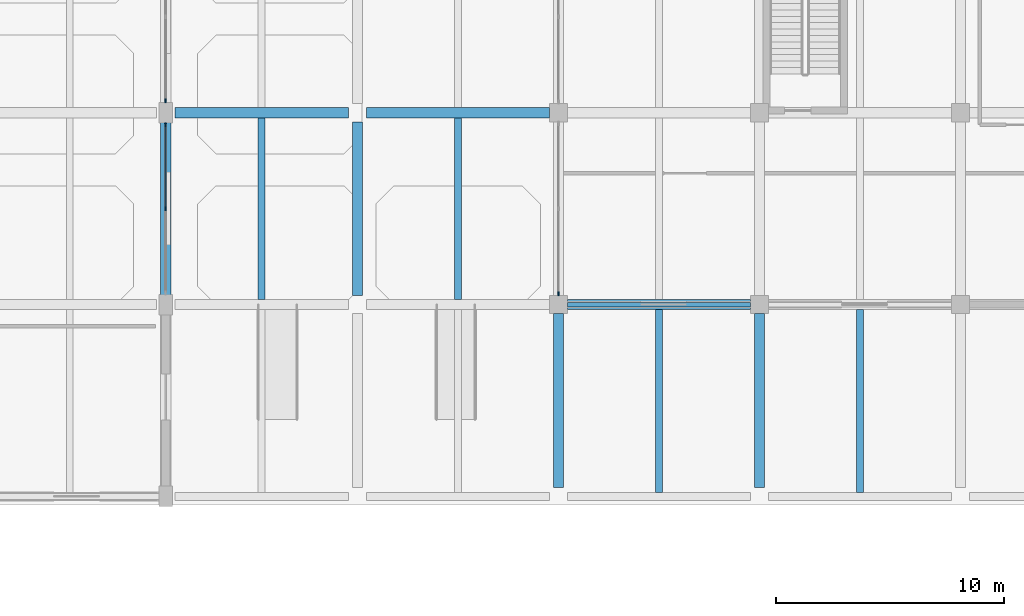
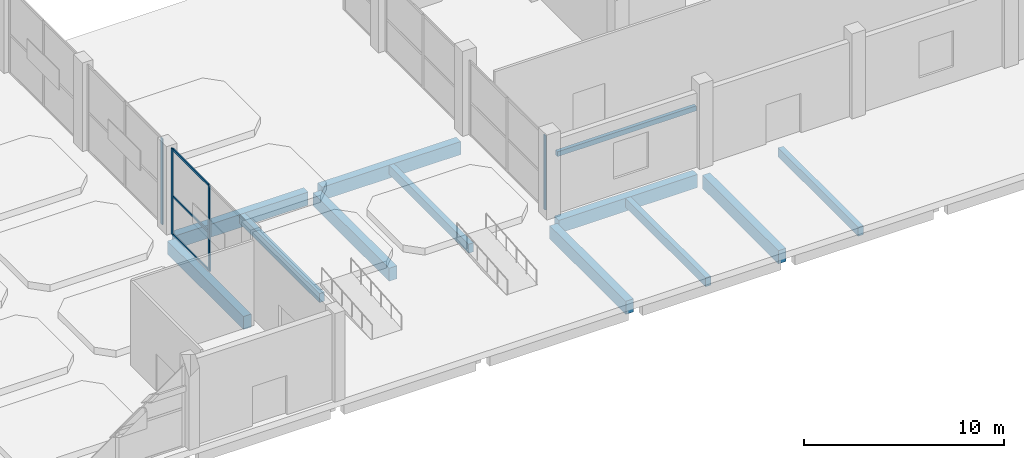
# One storey, part 7 of 34: 12 beams, 7 members, 3 elements without a shape of their own.
"""IFC4 building model written with IfcOpenShell, lengths in metres."""

from ifc_helpers import new_model, si_unit, direction, frame, origin, origin_2d, place, context, subcontext, project, spatial, rectangle, extrude, material, material_profile, profile_set, type_object, element, aggregate, save


model = new_model("IFC4")

# Units and contexts
model_context = context("Model", 3, precision=1e-05, world=origin(), true_north=direction((0.0, 1.0)))
body_context = subcontext(model_context, "Body", "Model", "MODEL_VIEW")
ifc_project = project(units=[si_unit("LENGTHUNIT", "METRE"), si_unit("AREAUNIT", "SQUARE_METRE"), si_unit("VOLUMEUNIT", "CUBIC_METRE"), si_unit("PLANEANGLEUNIT", "RADIAN"), si_unit("MASSUNIT", "GRAM", prefix="KILO")], contexts=[model_context])

# Site, building, storey
site_placement = place(None, origin())
site = spatial("IfcSite", under=ifc_project, at=site_placement, CompositionType="ELEMENT")
building_placement = place(site_placement, origin())
building = spatial("IfcBuilding", under=site, at=building_placement, Name="Brinegate Botanical Conservatory", CompositionType="ELEMENT")
storey_placement = place(building_placement, origin())
storey = spatial("IfcBuildingStorey", under=building, at=storey_placement, Name="L01", CompositionType="ELEMENT", Elevation=0.0)

# Beams
ifc_material_1 = material(Name="Concrete C40/50", Category="concrete")
ifc_material_profile_1 = material_profile(ifc_material_1, rectangle(XDim=0.449951171875, YDim=0.800048828125, at=origin_2d()), Name="RC BM 450x800")
ifc_profile_set_1 = profile_set([ifc_material_profile_1], Name="Concrete C40/50")
beam_type_1 = type_object("IfcBeamType", Name="Beam_BM-G1", PredefinedType="BEAM", material=ifc_profile_set_1)
beam_1_placement = place(storey_placement, frame((51.199951171875, 86.800048828125, -0.804931640625), z_axis=(1.0, 0.0, 0.0), x_axis=(0.0, 1.0, 0.0)))
element("IfcBeam", 1, at=beam_1_placement, inside=storey, type_object=beam_type_1, Name="Beam BM-G1 L01 L:7-8", PredefinedType="BEAM", context=body_context, shape_type="SweptSolid", body=[
    extrude(rectangle(XDim=0.449951171875, YDim=0.800048828125, at=origin_2d()), origin(), (0.0, 0.0, 1.0), 8.0),
])
beam_2_placement = place(storey_placement, frame((34.0, 95.199951171875, -0.804931640625), z_axis=(1.0, 0.0, 0.0), x_axis=(0.0, 1.0, 0.0)))
element("IfcBeam", 2, at=beam_2_placement, inside=storey, type_object=beam_type_1, Name="Beam BM-G1 L01 M:5-6", PredefinedType="BEAM", context=body_context, shape_type="SweptSolid", body=[
    extrude(rectangle(XDim=0.449951171875, YDim=0.800048828125, at=origin_2d()), origin(), (0.0, 0.0, 1.0), 7.60009765625),
])
beam_3_placement = place(storey_placement, frame((42.39990234375, 95.199951171875, -0.804931640625), z_axis=(1.0, 0.0, 0.0), x_axis=(0.0, 1.0, 0.0)))
element("IfcBeam", 3, at=beam_3_placement, inside=storey, type_object=beam_type_1, Name="Beam BM-G1 L01 M:6-7", PredefinedType="BEAM", context=body_context, shape_type="SweptSolid", body=[
    extrude(rectangle(XDim=0.449951171875, YDim=0.800048828125, at=origin_2d()), origin(), (0.0, 0.0, 1.0), 8.0),
])
for number, where, z_axis, x_axis, name in (
    (4, (33.60009765625, 87.199951171875, -0.804931640625), (0.0, 1.0, 0.0), (-1.0, 0.0, 0.0), "Beam BM-G1 L01 5:L-M"),
    (5, (42.0, 87.199951171875, -0.804931640625), (0.0, 1.0, 0.0), (-1.0, 0.0, 0.0), "Beam BM-G1 L01 6:L-M"),
):
    element("IfcBeam", number, at=place(storey_placement, frame(where, z_axis=z_axis, x_axis=x_axis)), inside=storey, type_object=beam_type_1, Name=name, PredefinedType="BEAM", context=body_context, shape_type="SweptSolid", body=[
        extrude(rectangle(XDim=0.449951171875, YDim=0.800048828125, at=origin_2d()), origin(), (0.0, 0.0, 1.0), 7.60009765625),
    ])
for number, where, z_axis, x_axis, name in (
    (6, (50.800048828125, 78.800048828125, -0.804931640625), (0.0, 1.0, 0.0), (-1.0, 0.0, 0.0), "Beam BM-G1 L01 7:K-L"),
    (7, (59.60009765625, 78.800048828125, -0.804931640625), (0.0, 1.0, 0.0), (-1.0, 0.0, 0.0), "Beam BM-G1 L01 8:K-L"),
):
    element("IfcBeam", number, at=place(storey_placement, frame(where, z_axis=z_axis, x_axis=x_axis)), inside=storey, type_object=beam_type_1, Name=name, PredefinedType="BEAM", context=body_context, shape_type="SweptSolid", body=[
        extrude(rectangle(XDim=0.449951171875, YDim=0.800048828125, at=origin_2d()), origin(), (0.0, 0.0, 1.0), 7.599853515625),
    ])
ifc_material_profile_2 = material_profile(ifc_material_1, rectangle(XDim=0.300048828125, YDim=0.550048828125, at=origin_2d()), Name="RC JST 300x550")
ifc_profile_set_2 = profile_set([ifc_material_profile_2], Name="Concrete C40/50")
beam_type_2 = type_object("IfcBeamType", Name="Beam_JS-C1", PredefinedType="JOIST", material=ifc_profile_set_2)
for number, where, z_axis, x_axis, name in (
    (8, (37.800048828125, 87.02490234375, -0.679931640625), (0.0, 1.0, 0.0), (-1.0, 0.0, 0.0), "Floor joist JS-C1 L01 bay 5.11"),
    (9, (46.39990234375, 87.02490234375, -0.679931640625), (0.0, 1.0, 0.0), (-1.0, 0.0, 0.0), "Floor joist JS-C1 L01 bay 6.11"),
):
    element("IfcBeam", number, at=place(storey_placement, frame(where, z_axis=z_axis, x_axis=x_axis)), inside=storey, type_object=beam_type_2, Name=name, PredefinedType="JOIST", context=body_context, shape_type="SweptSolid", body=[
        extrude(rectangle(XDim=0.300048828125, YDim=0.550048828125, at=origin_2d()), origin(), (0.0, 0.0, 1.0), 7.9501953125),
    ])
for number, where, z_axis, x_axis, name in (
    (10, (55.199951171875, 78.574951171875, -0.679931640625), (0.0, 1.0, 0.0), (-1.0, 0.0, 0.0), "Floor joist JS-C1 L01 bay 7.10"),
    (11, (64.0, 78.574951171875, -0.679931640625), (0.0, 1.0, 0.0), (-1.0, 0.0, 0.0), "Floor joist JS-C1 L01 bay 8.10"),
):
    element("IfcBeam", number, at=place(storey_placement, frame(where, z_axis=z_axis, x_axis=x_axis)), inside=storey, type_object=beam_type_2, Name=name, PredefinedType="JOIST", context=body_context, shape_type="SweptSolid", body=[
        extrude(rectangle(XDim=0.300048828125, YDim=0.550048828125, at=origin_2d()), origin(), (0.0, 0.0, 1.0), 8.0),
    ])
ifc_material_2 = material(Name="Precast concrete C40/50", Category="concrete")
ifc_material_profile_3 = material_profile(ifc_material_2, rectangle(XDim=0.199951171875, YDim=0.300048828125, at=origin_2d()), Name="RC LNT 200x300")
ifc_profile_set_3 = profile_set([ifc_material_profile_3], Name="Precast concrete C40/50")
beam_type_3 = type_object("IfcBeamType", Name="Beam_LN-02", PredefinedType="LINTEL", material=ifc_profile_set_3)
beam_4_placement = place(storey_placement, frame((51.199951171875, 86.800048828125, 3.550048828125), z_axis=(1.0, 0.0, 0.0), x_axis=(0.0, 1.0, 0.0)))
element("IfcBeam", 12, at=beam_4_placement, inside=storey, type_object=beam_type_3, Name="Warehouse opening lintel LN-02 9", PredefinedType="LINTEL", context=body_context, shape_type="SweptSolid", body=[
    extrude(rectangle(XDim=0.199951171875, YDim=0.300048828125, at=origin_2d()), origin(), (0.0, 0.0, 1.0), 8.0),
])

# Curtain wall, members
ifc_material_3 = material(Name="Thermally broken anodised aluminium AW-6063-T6", Category="aluminium")
curtain_wall_type_1 = type_object("IfcCurtainWallType", Name="CW_CW-V1", PredefinedType="USERDEFINED", material=ifc_material_3)
curtain_wall_1_placement = place(storey_placement, origin())
curtain_wall_1 = element("IfcCurtainWall", 13, at=curtain_wall_1_placement, inside=storey, type_object=curtain_wall_type_1, Name="Conservatory east curtain wall L01.2", ObjectType="FACTORY CURTAIN WALL", PredefinedType="USERDEFINED")
ifc_material_profile_4 = material_profile(ifc_material_3, rectangle(XDim=0.06494140625, YDim=0.179931640625, at=origin_2d()), Name="ALUM MULLION 65x180")
ifc_profile_set_4 = profile_set([ifc_material_profile_4], Name="Thermally broken anodised aluminium AW-6063-T6")
member_type_1 = type_object("IfcMemberType", Name="Member_ML-02", PredefinedType="MULLION", material=ifc_profile_set_4)
member_1_placement = place(storey_placement, frame((33.60009765625, 94.677490234375, 0.0), z_axis=(0.0, 0.0, 1.0), x_axis=(1.0, 0.0, 0.0)))
member_1 = element("IfcMember", 14, at=member_1_placement, type_object=member_type_1, Name="CW-V1 mullion 1", PredefinedType="MULLION", context=body_context, shape_type="SweptSolid", body=[
    extrude(rectangle(XDim=0.06494140625, YDim=0.179931640625, at=origin_2d()), origin(), (0.0, 0.0, 1.0), 5.239990234375),
])
member_2_placement = place(storey_placement, frame((33.60009765625, 91.0, 0.0), z_axis=(0.0, 0.0, 1.0), x_axis=(1.0, 0.0, 0.0)))
member_2 = element("IfcMember", 15, at=member_2_placement, type_object=member_type_1, Name="CW-V1 mullion 2", PredefinedType="MULLION", context=body_context, shape_type="SweptSolid", body=[
    extrude(rectangle(XDim=0.06494140625, YDim=0.179931640625, at=origin_2d()), origin(), (0.0, 0.0, 1.0), 5.239990234375),
])

# Curtain wall, member
curtain_wall_2_placement = place(storey_placement, origin())
curtain_wall_2 = element("IfcCurtainWall", 16, at=curtain_wall_2_placement, inside=storey, type_object=curtain_wall_type_1, Name="Conservatory east curtain wall L01.3", ObjectType="FACTORY CURTAIN WALL", PredefinedType="USERDEFINED")
member_3_placement = place(storey_placement, frame((33.60009765625, 95.722412109375, 0.0), z_axis=(0.0, 0.0, 1.0), x_axis=(1.0, 0.0, 0.0)))
member_3 = element("IfcMember", 17, at=member_3_placement, type_object=member_type_1, Name="CW-V1 mullion 3", PredefinedType="MULLION", context=body_context, shape_type="SweptSolid", body=[
    extrude(rectangle(XDim=0.06494140625, YDim=0.179931640625, at=origin_2d()), origin(), (0.0, 0.0, 1.0), 5.239990234375),
])
aggregate(curtain_wall_2, [member_3])

curtain_wall_type_2 = type_object("IfcCurtainWallType", Name="CW_CW-V3", PredefinedType="USERDEFINED", material=ifc_material_3)
curtain_wall_3_placement = place(storey_placement, origin())
curtain_wall_3 = element("IfcCurtainWall", 18, at=curtain_wall_3_placement, inside=storey, type_object=curtain_wall_type_2, Name="Visitor west forecourt curtain wall L01.1", ObjectType="FACTORY CURTAIN WALL", PredefinedType="USERDEFINED")
member_4_placement = place(storey_placement, frame((50.800048828125, 87.2724609375, 0.0), z_axis=(0.0, 0.0, 1.0), x_axis=(-1.0, 0.0, 0.0)))
member_4 = element("IfcMember", 19, at=member_4_placement, type_object=member_type_1, Name="CW-V3 mullion 1", PredefinedType="MULLION", context=body_context, shape_type="SweptSolid", body=[
    extrude(rectangle(XDim=0.06494140625, YDim=0.179931640625, at=origin_2d()), origin(), (0.0, 0.0, 1.0), 4.530029296875),
])
aggregate(curtain_wall_3, [member_4])

# Member
ifc_material_profile_5 = material_profile(ifc_material_3, rectangle(XDim=0.06494140625, YDim=0.135009765625, at=origin_2d()), Name="ALUM TRANSOM 65x135")
ifc_profile_set_5 = profile_set([ifc_material_profile_5], Name="Thermally broken anodised aluminium AW-6063-T6")
member_type_2 = type_object("IfcMemberType", Name="Member_TR-02", PredefinedType="USERDEFINED", material=ifc_profile_set_5)
member_5_placement = place(storey_placement, frame((33.60009765625, 94.64501953125, 0.032470703125), z_axis=(0.0, -1.0, 0.0), x_axis=(1.0, 0.0, 0.0)))
member_5 = element("IfcMember", 20, at=member_5_placement, type_object=member_type_2, Name="CW-V1 transom 1.1", ObjectType="TRANSOM", PredefinedType="USERDEFINED", context=body_context, shape_type="SweptSolid", body=[
    extrude(rectangle(XDim=0.06494140625, YDim=0.135009765625, at=origin_2d()), origin(), (0.0, 0.0, 1.0), 3.612548828125),
])

member_6_placement = place(storey_placement, frame((33.60009765625, 94.64501953125, 2.35791015625), z_axis=(0.0, -1.0, 0.0), x_axis=(1.0, 0.0, 0.0)))
member_6 = element("IfcMember", 21, at=member_6_placement, type_object=member_type_2, Name="CW-V1 transom 1.2", ObjectType="TRANSOM", PredefinedType="USERDEFINED", context=body_context, shape_type="SweptSolid", body=[
    extrude(rectangle(XDim=0.06494140625, YDim=0.135009765625, at=origin_2d()), origin(), (0.0, 0.0, 1.0), 3.612548828125),
])

member_7_placement = place(storey_placement, frame((33.60009765625, 94.64501953125, 5.20751953125), z_axis=(0.0, -1.0, 0.0), x_axis=(1.0, 0.0, 0.0)))
member_7 = element("IfcMember", 22, at=member_7_placement, type_object=member_type_2, Name="CW-V1 transom 1.3", ObjectType="TRANSOM", PredefinedType="USERDEFINED", context=body_context, shape_type="SweptSolid", body=[
    extrude(rectangle(XDim=0.06494140625, YDim=0.135009765625, at=origin_2d()), origin(), (0.0, 0.0, 1.0), 3.612548828125),
])

aggregate(curtain_wall_1, [member_1, member_2, member_5, member_6, member_7])

save(model, "model.ifc")
